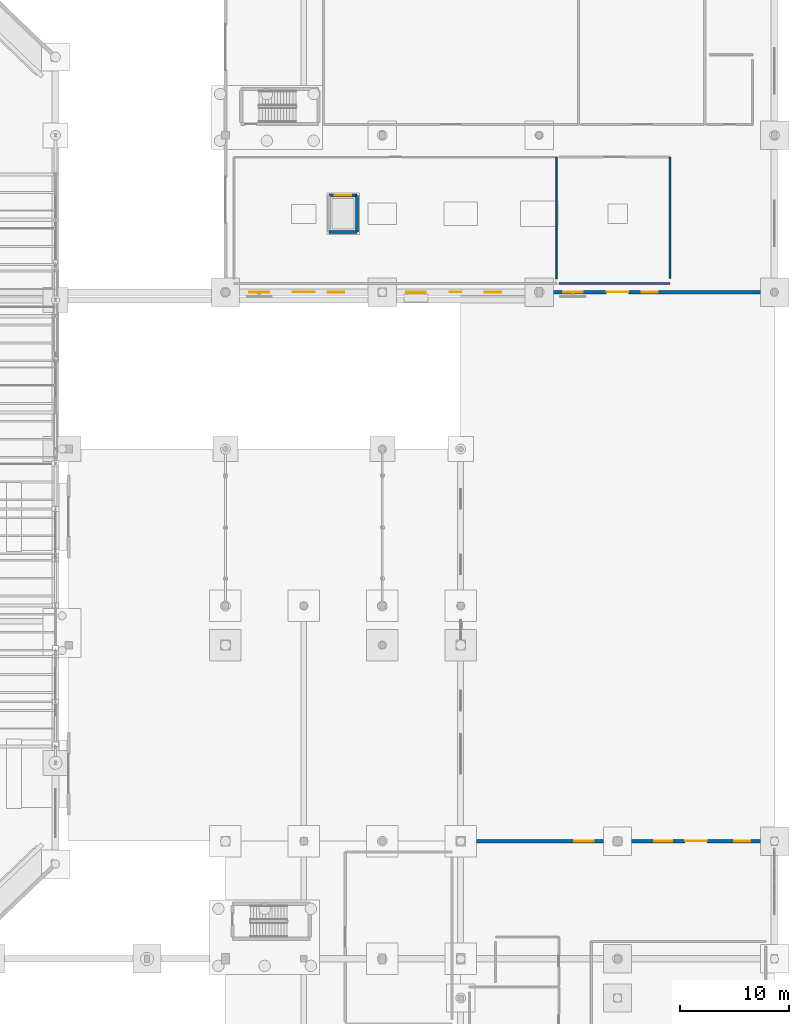
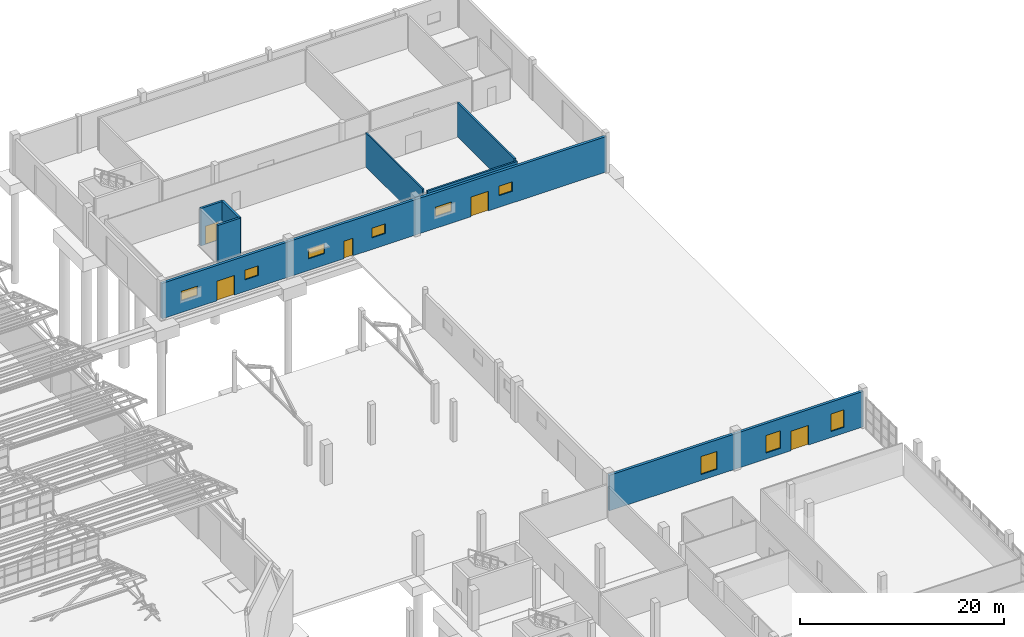
# One storey, part 260 of 285: 9 windows, 8 walls, 5 doors, 14 openings.
"""IFC4 building model written with IfcOpenShell, lengths in metres."""

from ifc_helpers import new_model, si_unit, direction, frame, frame_2d, origin, place, context, subcontext, project, spatial, rectangle, extrude, material, layer, layer_set, type_object, element, fill, save


model = new_model("IFC4")

# Units and contexts
model_context = context("Model", 3, precision=1e-05, world=origin(), true_north=direction((0.0, 1.0)))
body_context = subcontext(model_context, "Body", "Model", "MODEL_VIEW")
ifc_project = project(units=[si_unit("LENGTHUNIT", "METRE"), si_unit("AREAUNIT", "SQUARE_METRE"), si_unit("VOLUMEUNIT", "CUBIC_METRE"), si_unit("PLANEANGLEUNIT", "RADIAN"), si_unit("MASSUNIT", "GRAM", prefix="KILO")], contexts=[model_context])

# Site, building, storey
site_placement = place(None, origin())
site = spatial("IfcSite", under=ifc_project, at=site_placement, CompositionType="ELEMENT")
building_placement = place(site_placement, origin())
building = spatial("IfcBuilding", under=site, at=building_placement, Name="Solanera Park Tramway Depot", CompositionType="ELEMENT")
storey_placement = place(building_placement, origin())
storey = spatial("IfcBuildingStorey", under=building, at=storey_placement, Name="L00", CompositionType="ELEMENT", Elevation=0.0)

# Wall
ifc_material_1 = material(Name="Concrete N32 (C32/40)", Category="concrete")
ifc_layer_1 = layer(ifc_material_1, 0.14990234375)
ifc_layer_set_1 = layer_set([ifc_layer_1], Name="Concrete N32 (C32/40)")
wall_type_1 = type_object("IfcWallType", Name="Acoustic Partition 150", PredefinedType="PARTITIONING", material=ifc_layer_set_1)
wall_1_placement = place(storey_placement, frame((196.0, 116.449951171875, 0.0), z_axis=(0.0, 0.0, 1.0), x_axis=(0.0, 1.0, 0.0)))
element("IfcWall", 1, at=wall_1_placement, inside=storey, type_object=wall_type_1, Name="Automated Drive-Through Tram Wash Bay Dividing Wall", PredefinedType="PARTITIONING", context=body_context, shape_type="SweptSolid", body=[
    extrude(rectangle(XDim=11.150146484375, YDim=0.14990234375, at=frame_2d((5.5751953125, 0.0))), origin(), (0.0, 0.0, 1.0), 4.10009765625),
])

# Wall, openings, doors, windows
ifc_material_2 = material(Name="Concrete N32 (C32/40)", Category="concrete")
ifc_layer_2 = layer(ifc_material_2, 0.300048828125)
ifc_layer_set_2 = layer_set([ifc_layer_2], Name="Concrete N32 (C32/40)")
wall_type_2 = type_object("IfcWallType", Name="Ext Stucco Wall 300", PredefinedType="SOLIDWALL", material=ifc_layer_set_2)
wall_2_placement = place(storey_placement, frame((165.60009765625, 115.199951171875, 0.0), z_axis=(0.0, 0.0, 1.0), x_axis=(1.0, 0.0, 0.0)))
wall_2 = element("IfcWall", 2, at=wall_2_placement, inside=storey, type_object=wall_type_2, Name="L00 Exterior Wall #011", PredefinedType="SOLIDWALL", context=body_context, shape_type="SweptSolid", body=[
    extrude(rectangle(XDim=50.39990234375, YDim=0.300048828125, at=frame_2d((25.199951171875, 0.0))), origin(), (0.0, 0.0, 1.0), 4.25),
])
opening_1_placement = place(wall_2_placement, frame((2.199951171875, 0.0, 1.39990234375)))
opening_1 = element("IfcOpeningElement", 3, at=opening_1_placement, cuts=wall_2, Name="Opening WN-L18", PredefinedType="OPENING", context=body_context, shape_type="SweptSolid", body=[
    extrude(rectangle(XDim=1.800048828125, YDim=1.14990234375, at=frame_2d((0.89990234375, 0.574951171875))), frame((0.0, 0.16015625, 0.0), z_axis=(0.0, -1.0, 0.0), x_axis=(1.0, 0.0, 0.0)), (0.0, 0.0, 1.0), 0.320068359375),
])
opening_2_placement = place(wall_2_placement, frame((9.39990234375, 0.0, 1.39990234375)))
opening_2 = element("IfcOpeningElement", 4, at=opening_2_placement, cuts=wall_2, Name="Opening WN-L15", PredefinedType="OPENING", context=body_context, shape_type="SweptSolid", body=[
    extrude(rectangle(XDim=1.5, YDim=1.14990234375, at=frame_2d((0.75, 0.574951171875))), frame((0.0, 0.16015625, 0.0), z_axis=(0.0, -1.0, 0.0), x_axis=(1.0, 0.0, 0.0)), (0.0, 0.0, 1.0), 0.320068359375),
])
opening_3_placement = place(wall_2_placement, frame((16.60009765625, 0.0, 1.39990234375)))
opening_3 = element("IfcOpeningElement", 5, at=opening_3_placement, cuts=wall_2, Name="Opening WN-L18", PredefinedType="OPENING", context=body_context, shape_type="SweptSolid", body=[
    extrude(rectangle(XDim=1.800048828125, YDim=1.14990234375, at=frame_2d((0.89990234375, 0.574951171875))), frame((0.0, 0.16015625, 0.0), z_axis=(0.0, -1.0, 0.0), x_axis=(1.0, 0.0, 0.0)), (0.0, 0.0, 1.0), 0.320068359375),
])
opening_4_placement = place(wall_2_placement, frame((23.800048828125, 0.0, 1.39990234375)))
opening_4 = element("IfcOpeningElement", 6, at=opening_4_placement, cuts=wall_2, Name="Opening WN-L15", PredefinedType="OPENING", context=body_context, shape_type="SweptSolid", body=[
    extrude(rectangle(XDim=1.5, YDim=1.14990234375, at=frame_2d((0.75, 0.574951171875))), frame((0.0, 0.16015625, 0.0), z_axis=(0.0, -1.0, 0.0), x_axis=(1.0, 0.0, 0.0)), (0.0, 0.0, 1.0), 0.320068359375),
])
opening_5_placement = place(wall_2_placement, frame((31.0, 0.0, 1.39990234375)))
opening_5 = element("IfcOpeningElement", 7, at=opening_5_placement, cuts=wall_2, Name="Opening WN-L18", PredefinedType="OPENING", context=body_context, shape_type="SweptSolid", body=[
    extrude(rectangle(XDim=1.800048828125, YDim=1.14990234375, at=frame_2d((0.89990234375, 0.574951171875))), frame((0.0, 0.16015625, 0.0), z_axis=(0.0, -1.0, 0.0), x_axis=(1.0, 0.0, 0.0)), (0.0, 0.0, 1.0), 0.320068359375),
])
opening_6_placement = place(wall_2_placement, frame((38.199951171875, 0.0, 1.39990234375)))
opening_6 = element("IfcOpeningElement", 8, at=opening_6_placement, cuts=wall_2, Name="Opening WN-L15", PredefinedType="OPENING", context=body_context, shape_type="SweptSolid", body=[
    extrude(rectangle(XDim=1.5, YDim=1.14990234375, at=frame_2d((0.75, 0.574951171875))), frame((0.0, 0.16015625, 0.0), z_axis=(0.0, -1.0, 0.0), x_axis=(1.0, 0.0, 0.0)), (0.0, 0.0, 1.0), 0.320068359375),
])
opening_7_placement = place(wall_2_placement, frame((6.199951171875, 0.0, 0.0)))
opening_7 = element("IfcOpeningElement", 9, at=opening_7_placement, cuts=wall_2, Name="Opening ED-01", PredefinedType="OPENING", context=body_context, shape_type="SweptSolid", body=[
    extrude(rectangle(XDim=2.0, YDim=2.35009765625, at=frame_2d((1.0, 1.175048828125))), frame((0.0, 0.16015625, 0.0), z_axis=(0.0, -1.0, 0.0), x_axis=(1.0, 0.0, 0.0)), (0.0, 0.0, 1.0), 0.320068359375),
])
opening_8_placement = place(wall_2_placement, frame((20.60009765625, 0.0, 0.0)))
opening_8 = element("IfcOpeningElement", 10, at=opening_8_placement, cuts=wall_2, Name="Opening ED-06", PredefinedType="OPENING", context=body_context, shape_type="SweptSolid", body=[
    extrude(rectangle(XDim=1.050048828125, YDim=2.10009765625, at=frame_2d((0.52490234375, 1.050048828125))), frame((0.0, 0.16015625, 0.0), z_axis=(0.0, -1.0, 0.0), x_axis=(1.0, 0.0, 0.0)), (0.0, 0.0, 1.0), 0.320068359375),
])
opening_9_placement = place(wall_2_placement, frame((35.0, 0.0, 0.0)))
opening_9 = element("IfcOpeningElement", 11, at=opening_9_placement, cuts=wall_2, Name="Opening ED-01", PredefinedType="OPENING", context=body_context, shape_type="SweptSolid", body=[
    extrude(rectangle(XDim=2.0, YDim=2.35009765625, at=frame_2d((1.0, 1.175048828125))), frame((0.0, 0.16015625, 0.0), z_axis=(0.0, -1.0, 0.0), x_axis=(1.0, 0.0, 0.0)), (0.0, 0.0, 1.0), 0.320068359375),
])
ifc_material_3 = material(Name="Powder-coated aluminium and steel portal leaf", Category="steel")
door_type_1 = type_object("IfcDoorType", Name="Civic Entrance Double Door 2000x2350", OperationType="DOUBLE_SWING_LEFT", PredefinedType="DOOR", material=ifc_material_3)
door_1_placement = place(opening_7_placement, frame((2.0, 0.0, 0.0), z_axis=(0.0, 0.0, 1.0), x_axis=(-1.0, 0.0, 0.0)))
door_1 = element("IfcDoor", 12, at=door_1_placement, inside=storey, type_object=door_type_1, Name="Ground Final Exit Double Door #0035", OperationType="DOUBLE_SWING_LEFT", OverallHeight=2.35009765625, OverallWidth=2.0, PredefinedType="DOOR", context=body_context, shape_type="SweptSolid", body=[
    extrude(rectangle(XDim=2.0, YDim=2.35009765625, at=frame_2d((1.0, 1.175048828125))), frame((0.0, 0.02490234375, 0.0), z_axis=(0.0, -1.0, 0.0), x_axis=(1.0, 0.0, 0.0)), (0.0, 0.0, 1.0), 0.050048828125),
])
fill(opening_7, door_1)
door_2_placement = place(opening_9_placement, frame((2.0, 0.0, 0.0), z_axis=(0.0, 0.0, 1.0), x_axis=(-1.0, 0.0, 0.0)))
door_2 = element("IfcDoor", 13, at=door_2_placement, inside=storey, type_object=door_type_1, Name="Ground Final Exit Double Door #0037", OperationType="DOUBLE_SWING_LEFT", OverallHeight=2.35009765625, OverallWidth=2.0, PredefinedType="DOOR", context=body_context, shape_type="SweptSolid", body=[
    extrude(rectangle(XDim=2.0, YDim=2.35009765625, at=frame_2d((1.0, 1.175048828125))), frame((0.0, 0.02490234375, 0.0), z_axis=(0.0, -1.0, 0.0), x_axis=(1.0, 0.0, 0.0)), (0.0, 0.0, 1.0), 0.050048828125),
])
fill(opening_9, door_2)
ifc_material_4 = material(Name="Powder-coated aluminium and steel portal leaf", Category="steel")
door_type_2 = type_object("IfcDoorType", Name="External Final Exit Door R 1050x2100", OperationType="SINGLE_SWING_RIGHT", PredefinedType="DOOR", material=ifc_material_4)
door_3_placement = place(opening_8_placement, frame((1.050048828125, 0.0, 0.0), z_axis=(0.0, 0.0, 1.0), x_axis=(-1.0, 0.0, 0.0)))
door_3 = element("IfcDoor", 14, at=door_3_placement, inside=storey, type_object=door_type_2, Name="Ground Final Exit Door #0036", OperationType="SINGLE_SWING_RIGHT", OverallHeight=2.10009765625, OverallWidth=1.050048828125, PredefinedType="DOOR", context=body_context, shape_type="SweptSolid", body=[
    extrude(rectangle(XDim=1.050048828125, YDim=2.10009765625, at=frame_2d((0.52490234375, 1.050048828125))), frame((0.0, 0.02490234375, 0.0), z_axis=(0.0, -1.0, 0.0), x_axis=(1.0, 0.0, 0.0)), (0.0, 0.0, 1.0), 0.050048828125),
])
fill(opening_8, door_3)
ifc_material_5 = material(Name="Powder-coated aluminium frame with solar-control double glazing", Category="aluminium")
window_type_1 = type_object("IfcWindowType", Name="Substation Acoustic Louvre 1500x1150", PartitioningType="SINGLE_PANEL", PredefinedType="WINDOW", material=ifc_material_5)
window_1_placement = place(opening_2_placement, origin())
window_1 = element("IfcWindow", 15, at=window_1_placement, inside=storey, type_object=window_type_1, Name="L00 Substation Acoustic Louvre 1500x1150 #0065", OverallHeight=1.14990234375, OverallWidth=1.5, PartitioningType="SINGLE_PANEL", PredefinedType="WINDOW", context=body_context, shape_type="SweptSolid", body=[
    extrude(rectangle(XDim=1.5, YDim=1.14990234375, at=frame_2d((0.75, 0.574951171875))), frame((0.0, 0.030029296875, 0.0), z_axis=(0.0, -1.0, 0.0), x_axis=(1.0, 0.0, 0.0)), (0.0, 0.0, 1.0), 0.06005859375),
])
fill(opening_2, window_1)
window_2_placement = place(opening_4_placement, origin())
window_2 = element("IfcWindow", 16, at=window_2_placement, inside=storey, type_object=window_type_1, Name="L00 Substation Acoustic Louvre 1500x1150 #0067", OverallHeight=1.14990234375, OverallWidth=1.5, PartitioningType="SINGLE_PANEL", PredefinedType="WINDOW", context=body_context, shape_type="SweptSolid", body=[
    extrude(rectangle(XDim=1.5, YDim=1.14990234375, at=frame_2d((0.75, 0.574951171875))), frame((0.0, 0.030029296875, 0.0), z_axis=(0.0, -1.0, 0.0), x_axis=(1.0, 0.0, 0.0)), (0.0, 0.0, 1.0), 0.06005859375),
])
fill(opening_4, window_2)
window_3_placement = place(opening_6_placement, origin())
window_3 = element("IfcWindow", 17, at=window_3_placement, inside=storey, type_object=window_type_1, Name="L00 Substation Acoustic Louvre 1500x1150 #0069", OverallHeight=1.14990234375, OverallWidth=1.5, PartitioningType="SINGLE_PANEL", PredefinedType="WINDOW", context=body_context, shape_type="SweptSolid", body=[
    extrude(rectangle(XDim=1.5, YDim=1.14990234375, at=frame_2d((0.75, 0.574951171875))), frame((0.0, 0.030029296875, 0.0), z_axis=(0.0, -1.0, 0.0), x_axis=(1.0, 0.0, 0.0)), (0.0, 0.0, 1.0), 0.06005859375),
])
fill(opening_6, window_3)
ifc_material_6 = material(Name="Powder-coated aluminium frame with solar-control double glazing", Category="aluminium")
window_type_2 = type_object("IfcWindowType", Name="Substation Acoustic Louvre 1800x1150", PartitioningType="SINGLE_PANEL", PredefinedType="WINDOW", material=ifc_material_6)
window_4_placement = place(opening_1_placement, origin())
window_4 = element("IfcWindow", 18, at=window_4_placement, inside=storey, type_object=window_type_2, Name="L00 Substation Acoustic Louvre 1800x1150 #0064", OverallHeight=1.14990234375, OverallWidth=1.800048828125, PartitioningType="SINGLE_PANEL", PredefinedType="WINDOW", context=body_context, shape_type="SweptSolid", body=[
    extrude(rectangle(XDim=1.800048828125, YDim=1.14990234375, at=frame_2d((0.89990234375, 0.574951171875))), frame((0.0, 0.030029296875, 0.0), z_axis=(0.0, -1.0, 0.0), x_axis=(1.0, 0.0, 0.0)), (0.0, 0.0, 1.0), 0.06005859375),
])
fill(opening_1, window_4)
window_5_placement = place(opening_3_placement, origin())
window_5 = element("IfcWindow", 19, at=window_5_placement, inside=storey, type_object=window_type_2, Name="L00 Substation Acoustic Louvre 1800x1150 #0066", OverallHeight=1.14990234375, OverallWidth=1.800048828125, PartitioningType="SINGLE_PANEL", PredefinedType="WINDOW", context=body_context, shape_type="SweptSolid", body=[
    extrude(rectangle(XDim=1.800048828125, YDim=1.14990234375, at=frame_2d((0.89990234375, 0.574951171875))), frame((0.0, 0.030029296875, 0.0), z_axis=(0.0, -1.0, 0.0), x_axis=(1.0, 0.0, 0.0)), (0.0, 0.0, 1.0), 0.06005859375),
])
fill(opening_3, window_5)
window_6_placement = place(opening_5_placement, origin())
window_6 = element("IfcWindow", 20, at=window_6_placement, inside=storey, type_object=window_type_2, Name="L00 Substation Acoustic Louvre 1800x1150 #0068", OverallHeight=1.14990234375, OverallWidth=1.800048828125, PartitioningType="SINGLE_PANEL", PredefinedType="WINDOW", context=body_context, shape_type="SweptSolid", body=[
    extrude(rectangle(XDim=1.800048828125, YDim=1.14990234375, at=frame_2d((0.89990234375, 0.574951171875))), frame((0.0, 0.030029296875, 0.0), z_axis=(0.0, -1.0, 0.0), x_axis=(1.0, 0.0, 0.0)), (0.0, 0.0, 1.0), 0.06005859375),
])
fill(opening_5, window_6)

# Wall, openings, door, windows
wall_3_placement = place(storey_placement, frame((216.0, 64.800048828125, 0.0), z_axis=(0.0, 0.0, 1.0), x_axis=(-1.0, 0.0, 0.0)))
wall_3 = element("IfcWall", 21, at=wall_3_placement, inside=storey, type_object=wall_type_2, Name="L00 Exterior Wall #042", PredefinedType="SOLIDWALL", context=body_context, shape_type="SweptSolid", body=[
    extrude(rectangle(XDim=28.800048828125, YDim=0.300048828125, at=frame_2d((14.39990234375, 0.0))), origin(), (0.0, 0.0, 1.0), 4.25),
])
opening_10_placement = place(wall_3_placement, frame((2.199951171875, 0.0, 0.719970703125)))
opening_10 = element("IfcOpeningElement", 22, at=opening_10_placement, cuts=wall_3, Name="Opening WN-A15", PredefinedType="OPENING", context=body_context, shape_type="SweptSolid", body=[
    extrude(rectangle(XDim=1.5, YDim=2.10009765625, at=frame_2d((0.75, 1.050048828125))), frame((0.0, 0.16015625, 0.0), z_axis=(0.0, -1.0, 0.0), x_axis=(1.0, 0.0, 0.0)), (0.0, 0.0, 1.0), 0.320068359375),
])
opening_11_placement = place(wall_3_placement, frame((9.39990234375, 0.0, 0.719970703125)))
opening_11 = element("IfcOpeningElement", 23, at=opening_11_placement, cuts=wall_3, Name="Opening WN-A16", PredefinedType="OPENING", context=body_context, shape_type="SweptSolid", body=[
    extrude(rectangle(XDim=1.64990234375, YDim=2.10009765625, at=frame_2d((0.824951171875, 1.050048828125))), frame((0.0, 0.16015625, 0.0), z_axis=(0.0, -1.0, 0.0), x_axis=(1.0, 0.0, 0.0)), (0.0, 0.0, 1.0), 0.320068359375),
])
opening_12_placement = place(wall_3_placement, frame((16.60009765625, 0.0, 0.719970703125)))
opening_12 = element("IfcOpeningElement", 24, at=opening_12_placement, cuts=wall_3, Name="Opening WN-A18", PredefinedType="OPENING", context=body_context, shape_type="SweptSolid", body=[
    extrude(rectangle(XDim=1.800048828125, YDim=2.14990234375, at=frame_2d((0.89990234375, 1.074951171875))), frame((0.0, 0.16015625, 0.0), z_axis=(0.0, -1.0, 0.0), x_axis=(1.0, 0.0, 0.0)), (0.0, 0.0, 1.0), 0.320068359375),
])
opening_13_placement = place(wall_3_placement, frame((6.199951171875, 0.0, 0.0)))
opening_13 = element("IfcOpeningElement", 25, at=opening_13_placement, cuts=wall_3, Name="Opening ED-01", PredefinedType="OPENING", context=body_context, shape_type="SweptSolid", body=[
    extrude(rectangle(XDim=2.0, YDim=2.35009765625, at=frame_2d((1.0, 1.175048828125))), frame((0.0, 0.16015625, 0.0), z_axis=(0.0, -1.0, 0.0), x_axis=(1.0, 0.0, 0.0)), (0.0, 0.0, 1.0), 0.320068359375),
])
door_4_placement = place(opening_13_placement, frame((2.0, 0.0, 0.0), z_axis=(0.0, 0.0, 1.0), x_axis=(-1.0, 0.0, 0.0)))
door_4 = element("IfcDoor", 26, at=door_4_placement, inside=storey, type_object=door_type_1, Name="Ground Final Exit Double Door #0048", OperationType="DOUBLE_SWING_LEFT", OverallHeight=2.35009765625, OverallWidth=2.0, PredefinedType="DOOR", context=body_context, shape_type="SweptSolid", body=[
    extrude(rectangle(XDim=2.0, YDim=2.35009765625, at=frame_2d((1.0, 1.175048828125))), frame((0.0, 0.02490234375, 0.0), z_axis=(0.0, -1.0, 0.0), x_axis=(1.0, 0.0, 0.0)), (0.0, 0.0, 1.0), 0.050048828125),
])
fill(opening_13, door_4)
ifc_material_7 = material(Name="Powder-coated aluminium frame with solar-control double glazing", Category="aluminium")
window_type_3 = type_object("IfcWindowType", Name="Deep-Reveal Arched Window 1500x2100", PartitioningType="SINGLE_PANEL", PredefinedType="WINDOW", material=ifc_material_7)
window_7_placement = place(opening_10_placement, origin())
window_7 = element("IfcWindow", 27, at=window_7_placement, inside=storey, type_object=window_type_3, Name="L00 Deep-Reveal Arched Window 1500x2100 #0167", OverallHeight=2.10009765625, OverallWidth=1.5, PartitioningType="SINGLE_PANEL", PredefinedType="WINDOW", context=body_context, shape_type="SweptSolid", body=[
    extrude(rectangle(XDim=1.5, YDim=2.10009765625, at=frame_2d((0.75, 1.050048828125))), frame((0.0, 0.030029296875, 0.0), z_axis=(0.0, -1.0, 0.0), x_axis=(1.0, 0.0, 0.0)), (0.0, 0.0, 1.0), 0.06005859375),
])
fill(opening_10, window_7)
ifc_material_8 = material(Name="Powder-coated aluminium frame with solar-control double glazing", Category="aluminium")
window_type_4 = type_object("IfcWindowType", Name="Deep-Reveal Arched Window 1650x2100", PartitioningType="SINGLE_PANEL", PredefinedType="WINDOW", material=ifc_material_8)
window_8_placement = place(opening_11_placement, origin())
window_8 = element("IfcWindow", 28, at=window_8_placement, inside=storey, type_object=window_type_4, Name="L00 Deep-Reveal Arched Window 1650x2100 #0168", OverallHeight=2.10009765625, OverallWidth=1.64990234375, PartitioningType="SINGLE_PANEL", PredefinedType="WINDOW", context=body_context, shape_type="SweptSolid", body=[
    extrude(rectangle(XDim=1.64990234375, YDim=2.10009765625, at=frame_2d((0.824951171875, 1.050048828125))), frame((0.0, 0.030029296875, 0.0), z_axis=(0.0, -1.0, 0.0), x_axis=(1.0, 0.0, 0.0)), (0.0, 0.0, 1.0), 0.06005859375),
])
fill(opening_11, window_8)
ifc_material_9 = material(Name="Powder-coated aluminium frame with solar-control double glazing", Category="aluminium")
window_type_5 = type_object("IfcWindowType", Name="Deep-Reveal Arched Window 1800x2150", PartitioningType="SINGLE_PANEL", PredefinedType="WINDOW", material=ifc_material_9)
window_9_placement = place(opening_12_placement, origin())
window_9 = element("IfcWindow", 29, at=window_9_placement, inside=storey, type_object=window_type_5, Name="L00 Deep-Reveal Arched Window 1800x2150 #0169", OverallHeight=2.14990234375, OverallWidth=1.800048828125, PartitioningType="SINGLE_PANEL", PredefinedType="WINDOW", context=body_context, shape_type="SweptSolid", body=[
    extrude(rectangle(XDim=1.800048828125, YDim=2.14990234375, at=frame_2d((0.89990234375, 1.074951171875))), frame((0.0, 0.030029296875, 0.0), z_axis=(0.0, -1.0, 0.0), x_axis=(1.0, 0.0, 0.0)), (0.0, 0.0, 1.0), 0.06005859375),
])
fill(opening_12, window_9)

# Walls
ifc_material_10 = material(Name="Concrete N32 (C32/40)", Category="concrete")
ifc_layer_3 = layer(ifc_material_10, 0.199951171875)
ifc_layer_set_3 = layer_set([ifc_layer_3], Name="Concrete N32 (C32/40)")
wall_type_3 = type_object("IfcWallType", Name="Fire Compartment Wall 200", PredefinedType="SOLIDWALL", material=ifc_layer_set_3)
wall_4_placement = place(storey_placement, frame((206.39990234375, 116.0, 0.0), z_axis=(0.0, 0.0, 1.0), x_axis=(-1.0, 0.0, 0.0)))
element("IfcWall", 30, at=wall_4_placement, inside=storey, type_object=wall_type_3, Name="Wash Water Reclamation Filtration Plant Dividing Wall", PredefinedType="SOLIDWALL", context=body_context, shape_type="SweptSolid", body=[
    extrude(rectangle(XDim=10.199951171875, YDim=0.199951171875, at=frame_2d((5.10009765625, 0.0))), origin(), (0.0, 0.0, 1.0), 4.10009765625),
])
wall_5_placement = place(storey_placement, frame((206.39990234375, 116.449951171875, 0.0), z_axis=(0.0, 0.0, 1.0), x_axis=(0.0, 1.0, 0.0)))
element("IfcWall", 31, at=wall_5_placement, inside=storey, type_object=wall_type_3, Name="Wash Water Reclamation Filtration Plant Dividing Wall", PredefinedType="SOLIDWALL", context=body_context, shape_type="SweptSolid", body=[
    extrude(rectangle(XDim=11.150146484375, YDim=0.199951171875, at=frame_2d((5.5751953125, 0.0))), origin(), (0.0, 0.0, 1.0), 4.10009765625),
])
ifc_material_11 = material(Name="Concrete N40 (C40/50)", Category="concrete")
ifc_layer_4 = layer(ifc_material_11, 0.25)
ifc_layer_set_4 = layer_set([ifc_layer_4], Name="Concrete N40 (C40/50)")
wall_type_4 = type_object("IfcWallType", Name="Lift Shaft Shear Wall 250", PredefinedType="SHEAR", material=ifc_layer_set_4)
wall_6_placement = place(storey_placement, frame((175.125, 120.72509765625, 0.0), z_axis=(0.0, 0.0, 1.0), x_axis=(1.0, 0.0, 0.0)))
element("IfcWall", 32, at=wall_6_placement, inside=storey, type_object=wall_type_4, Name="LF-06 L00 Lift Shaft Wall S", PredefinedType="SHEAR", context=body_context, shape_type="SweptSolid", body=[
    extrude(rectangle(XDim=2.550048828125, YDim=0.25, at=frame_2d((1.27490234375, 0.0))), origin(), (0.0, 0.0, 1.0), 4.5),
])

# Wall, opening, door
wall_7_placement = place(storey_placement, frame((177.675048828125, 124.074951171875, 0.0), z_axis=(0.0, 0.0, 1.0), x_axis=(-1.0, 0.0, 0.0)))
wall_7 = element("IfcWall", 33, at=wall_7_placement, inside=storey, type_object=wall_type_4, Name="LF-06 L00 Lift Shaft Wall N", PredefinedType="SHEAR", context=body_context, shape_type="SweptSolid", body=[
    extrude(rectangle(XDim=2.550048828125, YDim=0.25, at=frame_2d((1.27490234375, 0.0))), origin(), (0.0, 0.0, 1.0), 4.5),
])
opening_14_placement = place(wall_7_placement, frame((0.52490234375, 0.0, 0.0)))
opening_14 = element("IfcOpeningElement", 34, at=opening_14_placement, cuts=wall_7, Name="Opening LD-02", PredefinedType="OPENING", context=body_context, shape_type="SweptSolid", body=[
    extrude(rectangle(XDim=1.5, YDim=2.199951171875, at=frame_2d((0.75, 1.10009765625))), frame((0.0, 0.135009765625, 0.0), z_axis=(0.0, -1.0, 0.0), x_axis=(1.0, 0.0, 0.0)), (0.0, 0.0, 1.0), 0.27001953125),
])
ifc_material_12 = material(Name="Fire-rated steel or solid-core hardwood door leaf", Category="steel")
door_type_3 = type_object("IfcDoorType", Name="Goods Lift Sliding Door 1500x2200", OperationType="SLIDING_TO_RIGHT", PredefinedType="DOOR", material=ifc_material_12)
door_5_placement = place(opening_14_placement, origin())
door_5 = element("IfcDoor", 35, at=door_5_placement, inside=storey, type_object=door_type_3, Name="LF-06 L00 Lift Landing Sliding Door", OperationType="SLIDING_TO_RIGHT", OverallHeight=2.199951171875, OverallWidth=1.5, PredefinedType="DOOR", context=body_context, shape_type="SweptSolid", body=[
    extrude(rectangle(XDim=1.5, YDim=2.199951171875, at=frame_2d((0.75, 1.10009765625))), frame((0.0, 0.02490234375, 0.0), z_axis=(0.0, -1.0, 0.0), x_axis=(1.0, 0.0, 0.0)), (0.0, 0.0, 1.0), 0.050048828125),
])
fill(opening_14, door_5)

# Wall
wall_8_placement = place(storey_placement, frame((177.675048828125, 120.72509765625, 0.0), z_axis=(0.0, 0.0, 1.0), x_axis=(0.0, 1.0, 0.0)))
element("IfcWall", 36, at=wall_8_placement, inside=storey, type_object=wall_type_4, Name="LF-06 L00 Lift Shaft Wall E", PredefinedType="SHEAR", context=body_context, shape_type="SweptSolid", body=[
    extrude(rectangle(XDim=3.349853515625, YDim=0.25, at=frame_2d((1.6748046875, 0.0))), origin(), (0.0, 0.0, 1.0), 4.5),
])

save(model, "model.ifc")
